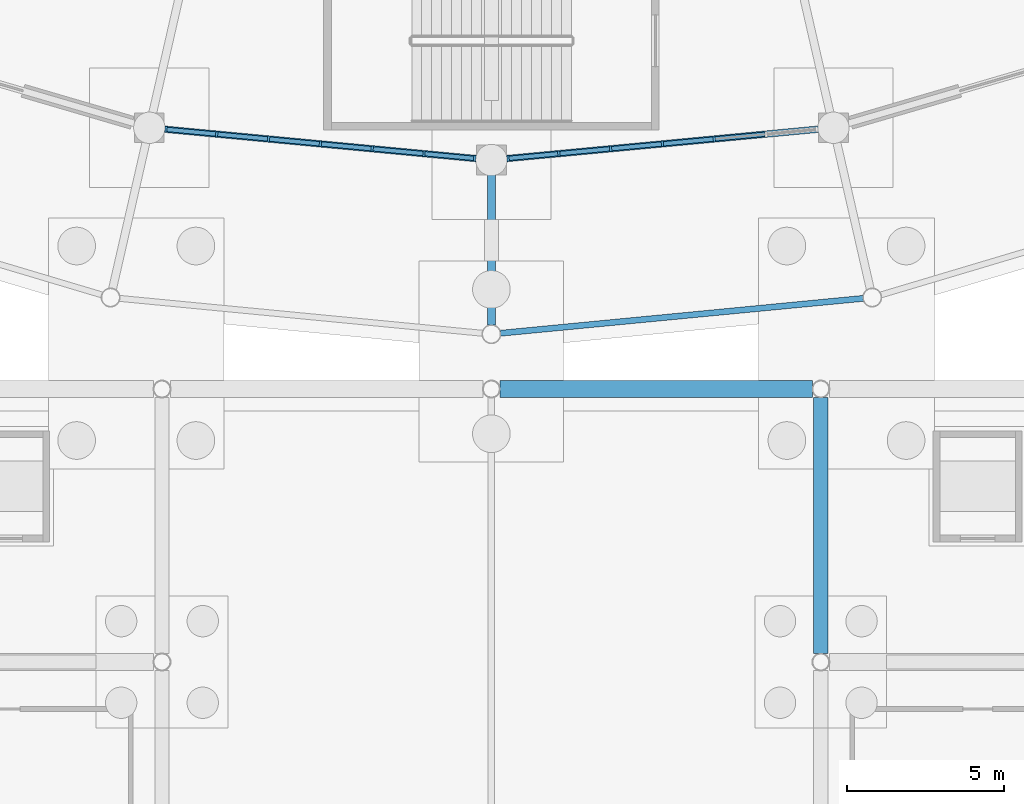
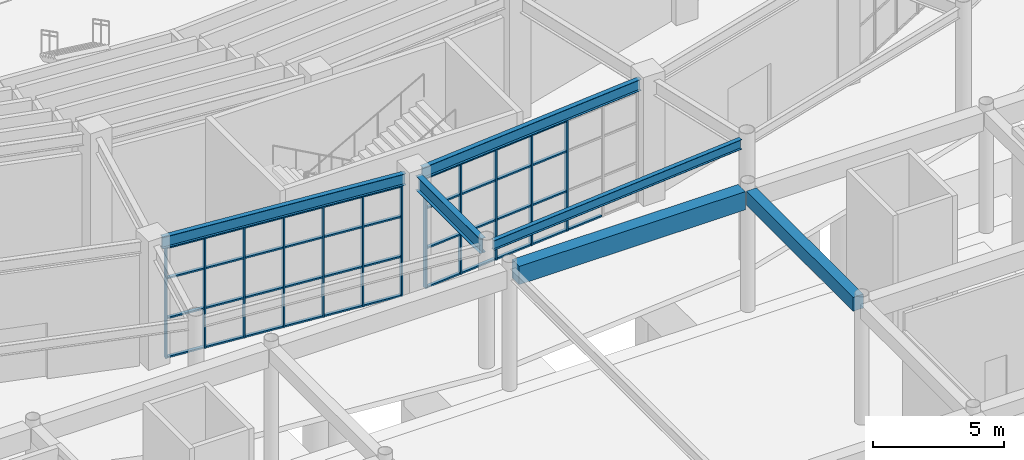
# One storey, part 32 of 121: 53 members, 6 beams, 2 elements without a shape of their own.
"""IFC4 building model written with IfcOpenShell, lengths in metres."""

import ifcopenshell
import ifcopenshell.guid

model = None  # the IFC model being written
_history = None  # IfcOwnerHistory: only IFC2X3 demands one
_inside = {}  # id of a spatial element -> (the spatial element, [elements in it])
_under = {}  # id of a project, library or spatial element -> (it, [spatial elements below it])
_declared = {}  # id of a project -> (the project, [libraries it declares])
_typed = {}  # id of a type object -> (the type object, [elements of that type])
_made_of = {}  # id of a material, layer set ... -> (it, [elements and type objects made of it])


def new_model(schema):
    """Start an empty IFC model of exactly this schema.

    Asked for "IFC4X3", IfcOpenShell would pick the latest addendum, in which some entities
    have other attributes; the version numbers below select the first issue.
    IFC2X3 requires an IfcOwnerHistory on every rooted entity: one is made here for all.
    """
    global model, _history
    if schema == "IFC4X3":
        model = ifcopenshell.file(schema_version=(4, 3, 0, 0))
    else:
        model = ifcopenshell.file(schema=schema)
    _inside.clear()
    _under.clear()
    _declared.clear()
    _typed.clear()
    _made_of.clear()
    _history = None
    if model.schema == "IFC2X3":
        org = make("IfcOrganization", Name="unknown")
        user = make(
            "IfcPersonAndOrganization",
            ThePerson=make("IfcPerson", FamilyName="unknown"),
            TheOrganization=org,
        )
        app = make(
            "IfcApplication",
            ApplicationDeveloper=org,
            Version="unknown",
            ApplicationFullName="unknown",
            ApplicationIdentifier="unknown",
        )
        _history = make(
            "IfcOwnerHistory",
            OwningUser=user,
            OwningApplication=app,
            ChangeAction="ADDED",
            CreationDate=0,
        )
    return model


def make(cls, **values):
    """One entity of the class cls with the attributes given. An attribute that is None is left unset."""
    return model.create_entity(
        cls, **{name: value for name, value in values.items() if value is not None}
    )


def rooted(cls, **values):
    """An entity with a GlobalId (a new one), such as an element, a storey or a relation."""
    return make(cls, GlobalId=ifcopenshell.guid.new(), OwnerHistory=_history, **values)


def si_unit(unit_type, name, prefix=None):
    """IfcSIUnit, for example si_unit("LENGTHUNIT", "METRE", prefix="MILLI")."""
    return make("IfcSIUnit", UnitType=unit_type, Prefix=prefix, Name=name)


def assignment(units):
    """IfcUnitAssignment: the units of a project."""
    return None if units is None else make("IfcUnitAssignment", Units=units)


def point(xyz):
    """IfcCartesianPoint."""
    return None if xyz is None else make("IfcCartesianPoint", Coordinates=xyz)


def direction(xyz):
    """IfcDirection."""
    return None if xyz is None else make("IfcDirection", DirectionRatios=xyz)


def frame(location, z_axis=None, x_axis=None):
    """IfcAxis2Placement3D, a coordinate frame: its origin and axes. An axis left out is left unset."""
    return make(
        "IfcAxis2Placement3D",
        Location=point(location),
        Axis=direction(z_axis),
        RefDirection=direction(x_axis),
    )


def frame_2d(location, x_axis=None):
    """IfcAxis2Placement2D, a coordinate frame in the plane: its origin and x axis."""
    return make(
        "IfcAxis2Placement2D", Location=point(location), RefDirection=direction(x_axis)
    )


def origin():
    """The frame at (0, 0, 0) with its axes left unset."""
    return frame((0.0, 0.0, 0.0))


def origin_2d():
    """The frame at (0, 0) in the plane with its x axis left unset."""
    return frame_2d((0.0, 0.0))


def place(relative_to, where):
    """IfcLocalPlacement: puts the frame where relative to a parent placement (None: the world)."""
    return make(
        "IfcLocalPlacement", PlacementRelTo=relative_to, RelativePlacement=where
    )


def context(
    kind, dimensions, precision=None, world=None, true_north=None, identifier=None
):
    """IfcGeometricRepresentationContext, for example the 3D "Model" context."""
    return make(
        "IfcGeometricRepresentationContext",
        ContextIdentifier=identifier,
        ContextType=kind,
        CoordinateSpaceDimension=dimensions,
        Precision=precision,
        WorldCoordinateSystem=world,
        TrueNorth=true_north,
    )


def subcontext(parent, identifier, kind, view, scale=None):
    """IfcGeometricRepresentationSubContext, for example "Body" below "Model"."""
    return make(
        "IfcGeometricRepresentationSubContext",
        ContextIdentifier=identifier,
        ContextType=kind,
        ParentContext=parent,
        TargetScale=scale,
        TargetView=view,
    )


def project(units=None, contexts=None):
    """IfcProject with its units and contexts."""
    return rooted(
        "IfcProject",
        Name="project",
        RepresentationContexts=contexts,
        UnitsInContext=assignment(units),
    )


def spatial(cls, under=None, at=None, **own):
    """A site, building, storey or space (cls), placed at a placement, below another one or the project."""
    s = rooted(cls, ObjectPlacement=at, **own)
    if under is not None:
        _under.setdefault(under.id(), (under, []))[1].append(s)
    return s


def profile(cls, at=None, kind="AREA", **sizes):
    """A parametric profile (cls). Its sizes go by their IFC names, for example OverallWidth=200.0."""
    return make(cls, ProfileType=kind, Position=at, **sizes)


def rectangle(**sizes):
    """IfcRectangleProfileDef."""
    return profile("IfcRectangleProfileDef", **sizes)


def i_section(**sizes):
    """IfcIShapeProfileDef."""
    return profile("IfcIShapeProfileDef", **sizes)


def extrude(swept, where, along, depth):
    """IfcExtrudedAreaSolid: the profile swept, set in the frame where, extruded along a direction by depth."""
    return make(
        "IfcExtrudedAreaSolid",
        SweptArea=swept,
        Position=where,
        ExtrudedDirection=direction(along),
        Depth=depth,
    )


def shape(context_of_items, identifier, shape_type, items):
    """IfcShapeRepresentation: the items that make up one representation, for example the "Body"."""
    return make(
        "IfcShapeRepresentation",
        ContextOfItems=context_of_items,
        RepresentationIdentifier=identifier,
        RepresentationType=shape_type,
        Items=items,
    )


def material(Name=None, Category=None):
    """IfcMaterial."""
    return make("IfcMaterial", Name=Name, Category=Category)


def material_profile(
    of_material, cross_section, Name=None, Category=None, Priority=None
):
    """IfcMaterialProfile: a cross section and its material."""
    return make(
        "IfcMaterialProfile",
        Name=Name,
        Material=of_material,
        Profile=cross_section,
        Priority=Priority,
        Category=Category,
    )


def profile_set(profiles, Name=None, composite=None):
    """IfcMaterialProfileSet."""
    return make(
        "IfcMaterialProfileSet",
        Name=Name,
        MaterialProfiles=profiles,
        CompositeProfile=composite,
    )


def made_of(thing, what):
    """Note that an element or type object is made of a material, layer set ...; save() writes the relation."""
    if what is not None:
        _made_of.setdefault(what.id(), (what, []))[1].append(thing)
    return thing


def type_object(cls, material=None, **own):
    """A type object (cls), such as IfcWallType, which elements share."""
    return made_of(rooted(cls, **own), material)


def element(
    cls,
    number,
    at=None,
    inside=None,
    cuts=None,
    type_object=None,
    material=None,
    context=None,
    identifier="Body",
    shape_type=None,
    held_by="IfcProductDefinitionShape",
    body=None,
    shapes=None,
    **own,
):
    """One element of the class cls, such as IfcWall. Its Tag is "e" and its number.

    at: its placement. inside: the storey or other place that contains it. cuts: it is an
    opening in that element (IfcRelVoidsElement). A single representation is given by context,
    identifier, shape_type and body (its items); several are given by shapes. held_by: the class
    of the entity that holds the representations. save() writes the other relations.
    """
    e = rooted(cls, Tag="e%d" % number, ObjectPlacement=at, **own)
    if body is not None:
        shapes = [shape(context, identifier, shape_type, body)]
    if shapes is not None:
        e.Representation = make(held_by, Representations=shapes)
    if inside is not None:
        _inside.setdefault(inside.id(), (inside, []))[1].append(e)
    if cuts is not None:
        rooted(
            "IfcRelVoidsElement", RelatingBuildingElement=cuts, RelatedOpeningElement=e
        )
    if type_object is not None:
        _typed.setdefault(type_object.id(), (type_object, []))[1].append(e)
    return made_of(e, material)


def aggregate(whole, parts):
    """IfcRelAggregates: a whole, such as a stair, and the parts it consists of."""
    return rooted("IfcRelAggregates", RelatingObject=whole, RelatedObjects=parts)


def save(model, path):
    """Write the relations noted so far, then the file.

    IfcRelAggregates (storeys below a building ...), IfcRelContainedInSpatialStructure (elements
    in a storey), IfcRelDefinesByType, IfcRelAssociatesMaterial and IfcRelDeclares: one each for
    every whole, place, type object, material and project.
    """
    for whole, parts in _under.values():
        aggregate(whole, parts)
    for where, things in _inside.values():
        rooted(
            "IfcRelContainedInSpatialStructure",
            RelatedElements=things,
            RelatingStructure=where,
        )
    for kind, things in _typed.values():
        rooted("IfcRelDefinesByType", RelatedObjects=things, RelatingType=kind)
    for what, things in _made_of.values():
        rooted("IfcRelAssociatesMaterial", RelatedObjects=things, RelatingMaterial=what)
    for by, libraries in _declared.values():
        rooted("IfcRelDeclares", RelatingContext=by, RelatedDefinitions=libraries)
    model.write(path)


model = new_model("IFC4")

# Units and contexts
model_context = context("Model", 3, precision=1e-05, world=origin(), true_north=direction((0.0, 1.0)))
body_context = subcontext(model_context, "Body", "Model", "MODEL_VIEW")
ifc_project = project(units=[si_unit("LENGTHUNIT", "METRE"), si_unit("AREAUNIT", "SQUARE_METRE"), si_unit("VOLUMEUNIT", "CUBIC_METRE"), si_unit("PLANEANGLEUNIT", "RADIAN"), si_unit("MASSUNIT", "GRAM", prefix="KILO")], contexts=[model_context])

# Site, building, storey
site_placement = place(None, origin())
site = spatial("IfcSite", under=ifc_project, at=site_placement, CompositionType="ELEMENT")
building_placement = place(site_placement, origin())
building = spatial("IfcBuilding", under=site, at=building_placement, Name="Cuetzalor Civic Arena", CompositionType="ELEMENT")
storey_placement = place(building_placement, origin())
storey = spatial("IfcBuildingStorey", under=building, at=storey_placement, Name="L00", CompositionType="ELEMENT", Elevation=0.0)

# Beams
ifc_material_1 = material(Name="Concrete C40/50", Category="concrete")
ifc_material_profile_1 = material_profile(ifc_material_1, rectangle(XDim=0.550048828125, YDim=0.85009765625, at=origin_2d()), Name="RC 550x850")
ifc_profile_set_1 = profile_set([ifc_material_profile_1], Name="Concrete C40/50")
beam_type_1 = type_object("IfcBeamType", Name="ConcreteFrameBeam_550x850", PredefinedType="BEAM", material=ifc_profile_set_1)
beam_1_placement = place(storey_placement, frame((0.26953125, -48.300048828125, 5.27490234375), z_axis=(1.0, 0.0, 0.0), x_axis=(0.0, 1.0, 0.0)))
element("IfcBeam", 1, at=beam_1_placement, inside=storey, type_object=beam_type_1, Name="Frame Girder V3-L00-X0027", PredefinedType="BEAM", context=body_context, shape_type="SweptSolid", body=[
    extrude(rectangle(XDim=0.550048828125, YDim=0.85009765625, at=origin_2d()), origin(), (0.0, 0.0, 1.0), 9.9609375),
])
ifc_material_2 = material(Name="Concrete C40/50", Category="concrete")
ifc_material_profile_2 = material_profile(ifc_material_2, rectangle(XDim=0.449951171875, YDim=0.64990234375, at=origin_2d()), Name="RC 450x650")
ifc_profile_set_2 = profile_set([ifc_material_profile_2], Name="Concrete C40/50")
beam_type_2 = type_object("IfcBeamType", Name="ConcreteTieBeam_450x650", PredefinedType="BEAM", material=ifc_profile_set_2)
beam_2_placement = place(storey_placement, frame((10.5, -56.73046875, 5.375), z_axis=(0.0, 1.0, 0.0), x_axis=(-1.0, 0.0, 0.0)))
element("IfcBeam", 2, at=beam_2_placement, inside=storey, type_object=beam_type_2, Name="Frame Girder V3-L00-Y0047", PredefinedType="BEAM", context=body_context, shape_type="SweptSolid", body=[
    extrude(rectangle(XDim=0.449951171875, YDim=0.64990234375, at=origin_2d()), origin(), (0.0, 0.0, 1.0), 8.160888671875),
])

# Curtain wall, members
ifc_material_3 = material(Name="Anodised dark bronze aluminium and low-E solar glass", Category="aluminium")
curtain_wall_type = type_object("IfcCurtainWallType", Name="UnitisedCW_9950x5150", PredefinedType="USERDEFINED", material=ifc_material_3)
curtain_wall_1_placement = place(storey_placement, origin())
curtain_wall_1 = element("IfcCurtainWall", 3, at=curtain_wall_1_placement, inside=storey, type_object=curtain_wall_type, Name="Drum Ground Recessed Concourse Curtain Wall L00-015", ObjectType="UNITISED CURTAIN WALL", PredefinedType="USERDEFINED")
ifc_material_4 = material(Name="Anodised dark bronze aluminium", Category="aluminium")
ifc_material_profile_3 = material_profile(ifc_material_4, rectangle(XDim=0.070068359375, YDim=0.179931640625, at=origin_2d()), Name="ALU MULLION 70x180")
ifc_profile_set_3 = profile_set([ifc_material_profile_3], Name="Anodised dark bronze aluminium")
member_type_1 = type_object("IfcMemberType", Name="CurtainWallMullion_65x180", PredefinedType="MULLION", material=ifc_profile_set_3)
member_1_placement = place(storey_placement, frame((-0.5322265625, -40.94970703125, 0.0), z_axis=(0.0, 0.0, 1.0), x_axis=(-0.995585155665, 0.093862654023, 0.0)))
member_1 = element("IfcMember", 4, at=member_1_placement, type_object=member_type_1, Name="CW-05 mullion 1", PredefinedType="MULLION", context=body_context, shape_type="SweptSolid", body=[
    extrude(rectangle(XDim=0.070068359375, YDim=0.179931640625, at=origin_2d()), origin(), (0.0, 0.0, 1.0), 5.156982421875),
])
member_2_placement = place(storey_placement, frame((-2.148681640625, -40.79736328125, 0.0), z_axis=(0.0, 0.0, 1.0), x_axis=(-0.995585155665, 0.093862654023, 0.0)))
member_2 = element("IfcMember", 5, at=member_2_placement, type_object=member_type_1, Name="CW-05 mullion 2", PredefinedType="MULLION", context=body_context, shape_type="SweptSolid", body=[
    extrude(rectangle(XDim=0.070068359375, YDim=0.179931640625, at=origin_2d()), origin(), (0.0, 0.0, 1.0), 5.156982421875),
])
member_3_placement = place(storey_placement, frame((-3.80029296875, -40.6416015625, 0.0), z_axis=(0.0, 0.0, 1.0), x_axis=(-0.995585155665, 0.093862654023, 0.0)))
member_3 = element("IfcMember", 6, at=member_3_placement, type_object=member_type_1, Name="CW-05 mullion 3", PredefinedType="MULLION", context=body_context, shape_type="SweptSolid", body=[
    extrude(rectangle(XDim=0.070068359375, YDim=0.179931640625, at=origin_2d()), origin(), (0.0, 0.0, 1.0), 5.156982421875),
])
member_4_placement = place(storey_placement, frame((-5.45166015625, -40.486083984375, 0.0), z_axis=(0.0, 0.0, 1.0), x_axis=(-0.995585155665, 0.093862654023, 0.0)))
member_4 = element("IfcMember", 7, at=member_4_placement, type_object=member_type_1, Name="CW-05 mullion 4", PredefinedType="MULLION", context=body_context, shape_type="SweptSolid", body=[
    extrude(rectangle(XDim=0.070068359375, YDim=0.179931640625, at=origin_2d()), origin(), (0.0, 0.0, 1.0), 5.156982421875),
])
member_5_placement = place(storey_placement, frame((-7.103271484375, -40.330322265625, 0.0), z_axis=(0.0, 0.0, 1.0), x_axis=(-0.995585155665, 0.093862654023, 0.0)))
member_5 = element("IfcMember", 8, at=member_5_placement, type_object=member_type_1, Name="CW-05 mullion 5", PredefinedType="MULLION", context=body_context, shape_type="SweptSolid", body=[
    extrude(rectangle(XDim=0.070068359375, YDim=0.179931640625, at=origin_2d()), origin(), (0.0, 0.0, 1.0), 5.156982421875),
])
member_6_placement = place(storey_placement, frame((-8.754638671875, -40.174560546875, 0.0), z_axis=(0.0, 0.0, 1.0), x_axis=(-0.995585155665, 0.093862654023, 0.0)))
member_6 = element("IfcMember", 9, at=member_6_placement, type_object=member_type_1, Name="CW-05 mullion 6", PredefinedType="MULLION", context=body_context, shape_type="SweptSolid", body=[
    extrude(rectangle(XDim=0.070068359375, YDim=0.179931640625, at=origin_2d()), origin(), (0.0, 0.0, 1.0), 5.156982421875),
])
member_7_placement = place(storey_placement, frame((-10.371337890625, -40.022216796875, 0.0), z_axis=(0.0, 0.0, 1.0), x_axis=(-0.995585155665, 0.093862654023, 0.0)))
member_7 = element("IfcMember", 10, at=member_7_placement, type_object=member_type_1, Name="CW-05 mullion 7", PredefinedType="MULLION", context=body_context, shape_type="SweptSolid", body=[
    extrude(rectangle(XDim=0.070068359375, YDim=0.179931640625, at=origin_2d()), origin(), (0.0, 0.0, 1.0), 5.156982421875),
])

curtain_wall_2_placement = place(storey_placement, origin())
curtain_wall_2 = element("IfcCurtainWall", 11, at=curtain_wall_2_placement, inside=storey, type_object=curtain_wall_type, Name="Drum Ground Recessed Concourse Curtain Wall L00-016", ObjectType="UNITISED CURTAIN WALL", PredefinedType="USERDEFINED")
member_8_placement = place(storey_placement, frame((7.103271484375, -40.330322265625, 0.0), z_axis=(0.0, 0.0, 1.0), x_axis=(-0.995585155665, -0.093862654023, 0.0)))
member_8 = element("IfcMember", 12, at=member_8_placement, type_object=member_type_1, Name="CW-05 mullion 3", PredefinedType="MULLION", context=body_context, shape_type="SweptSolid", body=[
    extrude(rectangle(XDim=0.070068359375, YDim=0.179931640625, at=origin_2d()), origin(), (0.0, 0.0, 1.0), 5.156982421875),
])
member_9_placement = place(storey_placement, frame((5.45166015625, -40.486083984375, 0.0), z_axis=(0.0, 0.0, 1.0), x_axis=(-0.995585155665, -0.093862654023, 0.0)))
member_9 = element("IfcMember", 13, at=member_9_placement, type_object=member_type_1, Name="CW-05 mullion 4", PredefinedType="MULLION", context=body_context, shape_type="SweptSolid", body=[
    extrude(rectangle(XDim=0.070068359375, YDim=0.179931640625, at=origin_2d()), origin(), (0.0, 0.0, 1.0), 5.156982421875),
])
member_10_placement = place(storey_placement, frame((3.80029296875, -40.6416015625, 0.0), z_axis=(0.0, 0.0, 1.0), x_axis=(-0.995585155665, -0.093862654023, 0.0)))
member_10 = element("IfcMember", 14, at=member_10_placement, type_object=member_type_1, Name="CW-05 mullion 5", PredefinedType="MULLION", context=body_context, shape_type="SweptSolid", body=[
    extrude(rectangle(XDim=0.070068359375, YDim=0.179931640625, at=origin_2d()), origin(), (0.0, 0.0, 1.0), 5.156982421875),
])
member_11_placement = place(storey_placement, frame((2.148681640625, -40.79736328125, 0.0), z_axis=(0.0, 0.0, 1.0), x_axis=(-0.995585155665, -0.093862654023, 0.0)))
member_11 = element("IfcMember", 15, at=member_11_placement, type_object=member_type_1, Name="CW-05 mullion 6", PredefinedType="MULLION", context=body_context, shape_type="SweptSolid", body=[
    extrude(rectangle(XDim=0.070068359375, YDim=0.179931640625, at=origin_2d()), origin(), (0.0, 0.0, 1.0), 5.156982421875),
])
member_12_placement = place(storey_placement, frame((0.5322265625, -40.94970703125, 0.0), z_axis=(0.0, 0.0, 1.0), x_axis=(-0.995585155665, -0.093862654023, 0.0)))
member_12 = element("IfcMember", 16, at=member_12_placement, type_object=member_type_1, Name="CW-05 mullion 7", PredefinedType="MULLION", context=body_context, shape_type="SweptSolid", body=[
    extrude(rectangle(XDim=0.070068359375, YDim=0.179931640625, at=origin_2d()), origin(), (0.0, 0.0, 1.0), 5.156982421875),
])

# Member
ifc_material_5 = material(Name="Anodised dark bronze aluminium", Category="aluminium")
ifc_material_profile_4 = material_profile(ifc_material_5, rectangle(XDim=0.139892578125, YDim=0.070068359375, at=origin_2d()), Name="ALU TRANSOM 70x140")
ifc_profile_set_4 = profile_set([ifc_material_profile_4], Name="Anodised dark bronze aluminium")
member_type_2 = type_object("IfcMemberType", Name="CurtainWallTransom_65x140", PredefinedType="USERDEFINED", material=ifc_profile_set_4)
member_13_placement = place(storey_placement, frame((-0.56689453125, -40.946533203125, 0.034912109375), z_axis=(-0.995591690404, 0.093793315318, 0.0), x_axis=(-0.093793315318, -0.995591690404, 0.0)))
member_13 = element("IfcMember", 17, at=member_13_placement, type_object=member_type_2, Name="CW-05 transom 1.1", ObjectType="TRANSOM", PredefinedType="USERDEFINED", context=body_context, shape_type="SweptSolid", body=[
    extrude(rectangle(XDim=0.139892578125, YDim=0.070068359375, at=origin_2d()), origin(), (0.0, 0.0, 1.0), 1.553955078125),
])

member_14_placement = place(storey_placement, frame((-0.56689453125, -40.946533203125, 1.85693359375), z_axis=(-0.995591690404, 0.093793315318, 0.0), x_axis=(-0.093793315318, -0.995591690404, 0.0)))
member_14 = element("IfcMember", 18, at=member_14_placement, type_object=member_type_2, Name="CW-05 transom 1.2", ObjectType="TRANSOM", PredefinedType="USERDEFINED", context=body_context, shape_type="SweptSolid", body=[
    extrude(rectangle(XDim=0.139892578125, YDim=0.070068359375, at=origin_2d()), origin(), (0.0, 0.0, 1.0), 1.553955078125),
])

member_15_placement = place(storey_placement, frame((-0.56689453125, -40.946533203125, 3.712890625), z_axis=(-0.995591690404, 0.093793315318, 0.0), x_axis=(-0.093793315318, -0.995591690404, 0.0)))
member_15 = element("IfcMember", 19, at=member_15_placement, type_object=member_type_2, Name="CW-05 transom 1.3", ObjectType="TRANSOM", PredefinedType="USERDEFINED", context=body_context, shape_type="SweptSolid", body=[
    extrude(rectangle(XDim=0.139892578125, YDim=0.070068359375, at=origin_2d()), origin(), (0.0, 0.0, 1.0), 1.553955078125),
])

member_16_placement = place(storey_placement, frame((-0.56689453125, -40.946533203125, 5.1220703125), z_axis=(-0.995591690404, 0.093793315318, 0.0), x_axis=(-0.093793315318, -0.995591690404, 0.0)))
member_16 = element("IfcMember", 20, at=member_16_placement, type_object=member_type_2, Name="CW-05 transom 1.4", ObjectType="TRANSOM", PredefinedType="USERDEFINED", context=body_context, shape_type="SweptSolid", body=[
    extrude(rectangle(XDim=0.139892578125, YDim=0.070068359375, at=origin_2d()), origin(), (0.0, 0.0, 1.0), 1.553955078125),
])

member_17_placement = place(storey_placement, frame((-2.18359375, -40.794189453125, 0.034912109375), z_axis=(-0.995582755392, 0.093888109823, 0.0), x_axis=(-0.093888109823, -0.995582755392, 0.0)))
member_17 = element("IfcMember", 21, at=member_17_placement, type_object=member_type_2, Name="CW-05 transom 2.1", ObjectType="TRANSOM", PredefinedType="USERDEFINED", context=body_context, shape_type="SweptSolid", body=[
    extrude(rectangle(XDim=0.139892578125, YDim=0.070068359375, at=origin_2d()), origin(), (0.0, 0.0, 1.0), 1.5888671875),
])

member_18_placement = place(storey_placement, frame((-2.18359375, -40.794189453125, 1.85693359375), z_axis=(-0.995582755392, 0.093888109823, 0.0), x_axis=(-0.093888109823, -0.995582755392, 0.0)))
member_18 = element("IfcMember", 22, at=member_18_placement, type_object=member_type_2, Name="CW-05 transom 2.2", ObjectType="TRANSOM", PredefinedType="USERDEFINED", context=body_context, shape_type="SweptSolid", body=[
    extrude(rectangle(XDim=0.139892578125, YDim=0.070068359375, at=origin_2d()), origin(), (0.0, 0.0, 1.0), 1.5888671875),
])

member_19_placement = place(storey_placement, frame((-2.18359375, -40.794189453125, 3.712890625), z_axis=(-0.995582755392, 0.093888109823, 0.0), x_axis=(-0.093888109823, -0.995582755392, 0.0)))
member_19 = element("IfcMember", 23, at=member_19_placement, type_object=member_type_2, Name="CW-05 transom 2.3", ObjectType="TRANSOM", PredefinedType="USERDEFINED", context=body_context, shape_type="SweptSolid", body=[
    extrude(rectangle(XDim=0.139892578125, YDim=0.070068359375, at=origin_2d()), origin(), (0.0, 0.0, 1.0), 1.5888671875),
])

member_20_placement = place(storey_placement, frame((-2.18359375, -40.794189453125, 5.1220703125), z_axis=(-0.995582755392, 0.093888109823, 0.0), x_axis=(-0.093888109823, -0.995582755392, 0.0)))
member_20 = element("IfcMember", 24, at=member_20_placement, type_object=member_type_2, Name="CW-05 transom 2.4", ObjectType="TRANSOM", PredefinedType="USERDEFINED", context=body_context, shape_type="SweptSolid", body=[
    extrude(rectangle(XDim=0.139892578125, YDim=0.070068359375, at=origin_2d()), origin(), (0.0, 0.0, 1.0), 1.5888671875),
])

member_21_placement = place(storey_placement, frame((-3.835205078125, -40.638427734375, 0.034912109375), z_axis=(-0.995582755392, 0.093888109823, 0.0), x_axis=(-0.093888109823, -0.995582755392, 0.0)))
member_21 = element("IfcMember", 25, at=member_21_placement, type_object=member_type_2, Name="CW-05 transom 3.1", ObjectType="TRANSOM", PredefinedType="USERDEFINED", context=body_context, shape_type="SweptSolid", body=[
    extrude(rectangle(XDim=0.139892578125, YDim=0.070068359375, at=origin_2d()), origin(), (0.0, 0.0, 1.0), 1.5888671875),
])

member_22_placement = place(storey_placement, frame((-3.835205078125, -40.638427734375, 1.85693359375), z_axis=(-0.995582755392, 0.093888109823, 0.0), x_axis=(-0.093888109823, -0.995582755392, 0.0)))
member_22 = element("IfcMember", 26, at=member_22_placement, type_object=member_type_2, Name="CW-05 transom 3.2", ObjectType="TRANSOM", PredefinedType="USERDEFINED", context=body_context, shape_type="SweptSolid", body=[
    extrude(rectangle(XDim=0.139892578125, YDim=0.070068359375, at=origin_2d()), origin(), (0.0, 0.0, 1.0), 1.5888671875),
])

member_23_placement = place(storey_placement, frame((-3.835205078125, -40.638427734375, 3.712890625), z_axis=(-0.995582755392, 0.093888109823, 0.0), x_axis=(-0.093888109823, -0.995582755392, 0.0)))
member_23 = element("IfcMember", 27, at=member_23_placement, type_object=member_type_2, Name="CW-05 transom 3.3", ObjectType="TRANSOM", PredefinedType="USERDEFINED", context=body_context, shape_type="SweptSolid", body=[
    extrude(rectangle(XDim=0.139892578125, YDim=0.070068359375, at=origin_2d()), origin(), (0.0, 0.0, 1.0), 1.5888671875),
])

member_24_placement = place(storey_placement, frame((-3.835205078125, -40.638427734375, 5.1220703125), z_axis=(-0.995582755392, 0.093888109823, 0.0), x_axis=(-0.093888109823, -0.995582755392, 0.0)))
member_24 = element("IfcMember", 28, at=member_24_placement, type_object=member_type_2, Name="CW-05 transom 3.4", ObjectType="TRANSOM", PredefinedType="USERDEFINED", context=body_context, shape_type="SweptSolid", body=[
    extrude(rectangle(XDim=0.139892578125, YDim=0.070068359375, at=origin_2d()), origin(), (0.0, 0.0, 1.0), 1.5888671875),
])

member_25_placement = place(storey_placement, frame((-5.486572265625, -40.482666015625, 0.034912109375), z_axis=(-0.995582755392, 0.093888109823, 0.0), x_axis=(-0.093888109823, -0.995582755392, 0.0)))
member_25 = element("IfcMember", 29, at=member_25_placement, type_object=member_type_2, Name="CW-05 transom 4.1", ObjectType="TRANSOM", PredefinedType="USERDEFINED", context=body_context, shape_type="SweptSolid", body=[
    extrude(rectangle(XDim=0.139892578125, YDim=0.070068359375, at=origin_2d()), origin(), (0.0, 0.0, 1.0), 1.5888671875),
])

member_26_placement = place(storey_placement, frame((-5.486572265625, -40.482666015625, 1.85693359375), z_axis=(-0.995582755392, 0.093888109823, 0.0), x_axis=(-0.093888109823, -0.995582755392, 0.0)))
member_26 = element("IfcMember", 30, at=member_26_placement, type_object=member_type_2, Name="CW-05 transom 4.2", ObjectType="TRANSOM", PredefinedType="USERDEFINED", context=body_context, shape_type="SweptSolid", body=[
    extrude(rectangle(XDim=0.139892578125, YDim=0.070068359375, at=origin_2d()), origin(), (0.0, 0.0, 1.0), 1.5888671875),
])

member_27_placement = place(storey_placement, frame((-5.486572265625, -40.482666015625, 3.712890625), z_axis=(-0.995582755392, 0.093888109823, 0.0), x_axis=(-0.093888109823, -0.995582755392, 0.0)))
member_27 = element("IfcMember", 31, at=member_27_placement, type_object=member_type_2, Name="CW-05 transom 4.3", ObjectType="TRANSOM", PredefinedType="USERDEFINED", context=body_context, shape_type="SweptSolid", body=[
    extrude(rectangle(XDim=0.139892578125, YDim=0.070068359375, at=origin_2d()), origin(), (0.0, 0.0, 1.0), 1.5888671875),
])

member_28_placement = place(storey_placement, frame((-5.486572265625, -40.482666015625, 5.1220703125), z_axis=(-0.995582755392, 0.093888109823, 0.0), x_axis=(-0.093888109823, -0.995582755392, 0.0)))
member_28 = element("IfcMember", 32, at=member_28_placement, type_object=member_type_2, Name="CW-05 transom 4.4", ObjectType="TRANSOM", PredefinedType="USERDEFINED", context=body_context, shape_type="SweptSolid", body=[
    extrude(rectangle(XDim=0.139892578125, YDim=0.070068359375, at=origin_2d()), origin(), (0.0, 0.0, 1.0), 1.5888671875),
])

member_29_placement = place(storey_placement, frame((-7.13818359375, -40.326904296875, 0.034912109375), z_axis=(-0.995597107351, 0.093735798037, 0.0), x_axis=(-0.093735798037, -0.995597107351, 0.0)))
member_29 = element("IfcMember", 33, at=member_29_placement, type_object=member_type_2, Name="CW-05 transom 5.1", ObjectType="TRANSOM", PredefinedType="USERDEFINED", context=body_context, shape_type="SweptSolid", body=[
    extrude(rectangle(XDim=0.139892578125, YDim=0.070068359375, at=origin_2d()), origin(), (0.0, 0.0, 1.0), 1.5888671875),
])

member_30_placement = place(storey_placement, frame((-7.13818359375, -40.326904296875, 1.85693359375), z_axis=(-0.995597107351, 0.093735798037, 0.0), x_axis=(-0.093735798037, -0.995597107351, 0.0)))
member_30 = element("IfcMember", 34, at=member_30_placement, type_object=member_type_2, Name="CW-05 transom 5.2", ObjectType="TRANSOM", PredefinedType="USERDEFINED", context=body_context, shape_type="SweptSolid", body=[
    extrude(rectangle(XDim=0.139892578125, YDim=0.070068359375, at=origin_2d()), origin(), (0.0, 0.0, 1.0), 1.5888671875),
])

member_31_placement = place(storey_placement, frame((-7.13818359375, -40.326904296875, 3.712890625), z_axis=(-0.995597107351, 0.093735798037, 0.0), x_axis=(-0.093735798037, -0.995597107351, 0.0)))
member_31 = element("IfcMember", 35, at=member_31_placement, type_object=member_type_2, Name="CW-05 transom 5.3", ObjectType="TRANSOM", PredefinedType="USERDEFINED", context=body_context, shape_type="SweptSolid", body=[
    extrude(rectangle(XDim=0.139892578125, YDim=0.070068359375, at=origin_2d()), origin(), (0.0, 0.0, 1.0), 1.5888671875),
])

member_32_placement = place(storey_placement, frame((-7.13818359375, -40.326904296875, 5.1220703125), z_axis=(-0.995597107351, 0.093735798037, 0.0), x_axis=(-0.093735798037, -0.995597107351, 0.0)))
member_32 = element("IfcMember", 36, at=member_32_placement, type_object=member_type_2, Name="CW-05 transom 5.4", ObjectType="TRANSOM", PredefinedType="USERDEFINED", context=body_context, shape_type="SweptSolid", body=[
    extrude(rectangle(XDim=0.139892578125, YDim=0.070068359375, at=origin_2d()), origin(), (0.0, 0.0, 1.0), 1.5888671875),
])

member_33_placement = place(storey_placement, frame((-8.78955078125, -40.17138671875, 0.034912109375), z_axis=(-0.995575620742, 0.093963734407, 0.0), x_axis=(-0.093963734407, -0.995575620742, 0.0)))
member_33 = element("IfcMember", 37, at=member_33_placement, type_object=member_type_2, Name="CW-05 transom 6.1", ObjectType="TRANSOM", PredefinedType="USERDEFINED", context=body_context, shape_type="SweptSolid", body=[
    extrude(rectangle(XDim=0.139892578125, YDim=0.070068359375, at=origin_2d()), origin(), (0.0, 0.0, 1.0), 1.5537109375),
])

member_34_placement = place(storey_placement, frame((-8.78955078125, -40.17138671875, 1.85693359375), z_axis=(-0.995575620742, 0.093963734407, 0.0), x_axis=(-0.093963734407, -0.995575620742, 0.0)))
member_34 = element("IfcMember", 38, at=member_34_placement, type_object=member_type_2, Name="CW-05 transom 6.2", ObjectType="TRANSOM", PredefinedType="USERDEFINED", context=body_context, shape_type="SweptSolid", body=[
    extrude(rectangle(XDim=0.139892578125, YDim=0.070068359375, at=origin_2d()), origin(), (0.0, 0.0, 1.0), 1.5537109375),
])

member_35_placement = place(storey_placement, frame((-8.78955078125, -40.17138671875, 3.712890625), z_axis=(-0.995575620742, 0.093963734407, 0.0), x_axis=(-0.093963734407, -0.995575620742, 0.0)))
member_35 = element("IfcMember", 39, at=member_35_placement, type_object=member_type_2, Name="CW-05 transom 6.3", ObjectType="TRANSOM", PredefinedType="USERDEFINED", context=body_context, shape_type="SweptSolid", body=[
    extrude(rectangle(XDim=0.139892578125, YDim=0.070068359375, at=origin_2d()), origin(), (0.0, 0.0, 1.0), 1.5537109375),
])

member_36_placement = place(storey_placement, frame((-8.78955078125, -40.17138671875, 5.1220703125), z_axis=(-0.995575620742, 0.093963734407, 0.0), x_axis=(-0.093963734407, -0.995575620742, 0.0)))
member_36 = element("IfcMember", 40, at=member_36_placement, type_object=member_type_2, Name="CW-05 transom 6.4", ObjectType="TRANSOM", PredefinedType="USERDEFINED", context=body_context, shape_type="SweptSolid", body=[
    extrude(rectangle(XDim=0.139892578125, YDim=0.070068359375, at=origin_2d()), origin(), (0.0, 0.0, 1.0), 1.5537109375),
])

aggregate(curtain_wall_1, [member_1, member_2, member_3, member_4, member_5, member_6, member_7, member_13, member_14, member_15, member_16, member_17, member_18, member_19, member_20, member_21, member_22, member_23, member_24, member_25, member_26, member_27, member_28, member_29, member_30, member_31, member_32, member_33, member_34, member_35, member_36])

member_37_placement = place(storey_placement, frame((8.719970703125, -40.177978515625, 0.034912109375), z_axis=(-0.995597107351, -0.093735798037, 0.0), x_axis=(0.093735798037, -0.995597107351, 0.0)))
member_37 = element("IfcMember", 41, at=member_37_placement, type_object=member_type_2, Name="CW-05 transom 2.1", ObjectType="TRANSOM", PredefinedType="USERDEFINED", context=body_context, shape_type="SweptSolid", body=[
    extrude(rectangle(XDim=0.139892578125, YDim=0.070068359375, at=origin_2d()), origin(), (0.0, 0.0, 1.0), 1.5888671875),
])

member_38_placement = place(storey_placement, frame((7.068359375, -40.33349609375, 0.034912109375), z_axis=(-0.995582755392, -0.093888109823, 0.0), x_axis=(0.093888109823, -0.995582755392, 0.0)))
member_38 = element("IfcMember", 42, at=member_38_placement, type_object=member_type_2, Name="CW-05 transom 3.1", ObjectType="TRANSOM", PredefinedType="USERDEFINED", context=body_context, shape_type="SweptSolid", body=[
    extrude(rectangle(XDim=0.139892578125, YDim=0.070068359375, at=origin_2d()), origin(), (0.0, 0.0, 1.0), 1.5888671875),
])

member_39_placement = place(storey_placement, frame((7.068359375, -40.33349609375, 1.85693359375), z_axis=(-0.995582755392, -0.093888109823, 0.0), x_axis=(0.093888109823, -0.995582755392, 0.0)))
member_39 = element("IfcMember", 43, at=member_39_placement, type_object=member_type_2, Name="CW-05 transom 3.2", ObjectType="TRANSOM", PredefinedType="USERDEFINED", context=body_context, shape_type="SweptSolid", body=[
    extrude(rectangle(XDim=0.139892578125, YDim=0.070068359375, at=origin_2d()), origin(), (0.0, 0.0, 1.0), 1.5888671875),
])

member_40_placement = place(storey_placement, frame((7.068359375, -40.33349609375, 3.712890625), z_axis=(-0.995582755392, -0.093888109823, 0.0), x_axis=(0.093888109823, -0.995582755392, 0.0)))
member_40 = element("IfcMember", 44, at=member_40_placement, type_object=member_type_2, Name="CW-05 transom 3.3", ObjectType="TRANSOM", PredefinedType="USERDEFINED", context=body_context, shape_type="SweptSolid", body=[
    extrude(rectangle(XDim=0.139892578125, YDim=0.070068359375, at=origin_2d()), origin(), (0.0, 0.0, 1.0), 1.5888671875),
])

member_41_placement = place(storey_placement, frame((7.068359375, -40.33349609375, 5.1220703125), z_axis=(-0.995582755392, -0.093888109823, 0.0), x_axis=(0.093888109823, -0.995582755392, 0.0)))
member_41 = element("IfcMember", 45, at=member_41_placement, type_object=member_type_2, Name="CW-05 transom 3.4", ObjectType="TRANSOM", PredefinedType="USERDEFINED", context=body_context, shape_type="SweptSolid", body=[
    extrude(rectangle(XDim=0.139892578125, YDim=0.070068359375, at=origin_2d()), origin(), (0.0, 0.0, 1.0), 1.5888671875),
])

member_42_placement = place(storey_placement, frame((5.4169921875, -40.4892578125, 0.034912109375), z_axis=(-0.995582755392, -0.093888109823, 0.0), x_axis=(0.093888109823, -0.995582755392, 0.0)))
member_42 = element("IfcMember", 46, at=member_42_placement, type_object=member_type_2, Name="CW-05 transom 4.1", ObjectType="TRANSOM", PredefinedType="USERDEFINED", context=body_context, shape_type="SweptSolid", body=[
    extrude(rectangle(XDim=0.139892578125, YDim=0.070068359375, at=origin_2d()), origin(), (0.0, 0.0, 1.0), 1.5888671875),
])

member_43_placement = place(storey_placement, frame((5.4169921875, -40.4892578125, 1.85693359375), z_axis=(-0.995582755392, -0.093888109823, 0.0), x_axis=(0.093888109823, -0.995582755392, 0.0)))
member_43 = element("IfcMember", 47, at=member_43_placement, type_object=member_type_2, Name="CW-05 transom 4.2", ObjectType="TRANSOM", PredefinedType="USERDEFINED", context=body_context, shape_type="SweptSolid", body=[
    extrude(rectangle(XDim=0.139892578125, YDim=0.070068359375, at=origin_2d()), origin(), (0.0, 0.0, 1.0), 1.5888671875),
])

member_44_placement = place(storey_placement, frame((5.4169921875, -40.4892578125, 3.712890625), z_axis=(-0.995582755392, -0.093888109823, 0.0), x_axis=(0.093888109823, -0.995582755392, 0.0)))
member_44 = element("IfcMember", 48, at=member_44_placement, type_object=member_type_2, Name="CW-05 transom 4.3", ObjectType="TRANSOM", PredefinedType="USERDEFINED", context=body_context, shape_type="SweptSolid", body=[
    extrude(rectangle(XDim=0.139892578125, YDim=0.070068359375, at=origin_2d()), origin(), (0.0, 0.0, 1.0), 1.5888671875),
])

member_45_placement = place(storey_placement, frame((5.4169921875, -40.4892578125, 5.1220703125), z_axis=(-0.995582755392, -0.093888109823, 0.0), x_axis=(0.093888109823, -0.995582755392, 0.0)))
member_45 = element("IfcMember", 49, at=member_45_placement, type_object=member_type_2, Name="CW-05 transom 4.4", ObjectType="TRANSOM", PredefinedType="USERDEFINED", context=body_context, shape_type="SweptSolid", body=[
    extrude(rectangle(XDim=0.139892578125, YDim=0.070068359375, at=origin_2d()), origin(), (0.0, 0.0, 1.0), 1.5888671875),
])

member_46_placement = place(storey_placement, frame((3.765380859375, -40.64501953125, 0.034912109375), z_axis=(-0.995582755392, -0.093888109823, 0.0), x_axis=(0.093888109823, -0.995582755392, 0.0)))
member_46 = element("IfcMember", 50, at=member_46_placement, type_object=member_type_2, Name="CW-05 transom 5.1", ObjectType="TRANSOM", PredefinedType="USERDEFINED", context=body_context, shape_type="SweptSolid", body=[
    extrude(rectangle(XDim=0.139892578125, YDim=0.070068359375, at=origin_2d()), origin(), (0.0, 0.0, 1.0), 1.5888671875),
])

member_47_placement = place(storey_placement, frame((3.765380859375, -40.64501953125, 1.85693359375), z_axis=(-0.995582755392, -0.093888109823, 0.0), x_axis=(0.093888109823, -0.995582755392, 0.0)))
member_47 = element("IfcMember", 51, at=member_47_placement, type_object=member_type_2, Name="CW-05 transom 5.2", ObjectType="TRANSOM", PredefinedType="USERDEFINED", context=body_context, shape_type="SweptSolid", body=[
    extrude(rectangle(XDim=0.139892578125, YDim=0.070068359375, at=origin_2d()), origin(), (0.0, 0.0, 1.0), 1.5888671875),
])

member_48_placement = place(storey_placement, frame((3.765380859375, -40.64501953125, 3.712890625), z_axis=(-0.995582755392, -0.093888109823, 0.0), x_axis=(0.093888109823, -0.995582755392, 0.0)))
member_48 = element("IfcMember", 52, at=member_48_placement, type_object=member_type_2, Name="CW-05 transom 5.3", ObjectType="TRANSOM", PredefinedType="USERDEFINED", context=body_context, shape_type="SweptSolid", body=[
    extrude(rectangle(XDim=0.139892578125, YDim=0.070068359375, at=origin_2d()), origin(), (0.0, 0.0, 1.0), 1.5888671875),
])

member_49_placement = place(storey_placement, frame((3.765380859375, -40.64501953125, 5.1220703125), z_axis=(-0.995582755392, -0.093888109823, 0.0), x_axis=(0.093888109823, -0.995582755392, 0.0)))
member_49 = element("IfcMember", 53, at=member_49_placement, type_object=member_type_2, Name="CW-05 transom 5.4", ObjectType="TRANSOM", PredefinedType="USERDEFINED", context=body_context, shape_type="SweptSolid", body=[
    extrude(rectangle(XDim=0.139892578125, YDim=0.070068359375, at=origin_2d()), origin(), (0.0, 0.0, 1.0), 1.5888671875),
])

member_50_placement = place(storey_placement, frame((2.114013671875, -40.80078125, 0.034912109375), z_axis=(-0.995591690404, -0.093793315318, 0.0), x_axis=(0.093793315318, -0.995591690404, 0.0)))
member_50 = element("IfcMember", 54, at=member_50_placement, type_object=member_type_2, Name="CW-05 transom 6.1", ObjectType="TRANSOM", PredefinedType="USERDEFINED", context=body_context, shape_type="SweptSolid", body=[
    extrude(rectangle(XDim=0.139892578125, YDim=0.070068359375, at=origin_2d()), origin(), (0.0, 0.0, 1.0), 1.553955078125),
])

member_51_placement = place(storey_placement, frame((2.114013671875, -40.80078125, 1.85693359375), z_axis=(-0.995591690404, -0.093793315318, 0.0), x_axis=(0.093793315318, -0.995591690404, 0.0)))
member_51 = element("IfcMember", 55, at=member_51_placement, type_object=member_type_2, Name="CW-05 transom 6.2", ObjectType="TRANSOM", PredefinedType="USERDEFINED", context=body_context, shape_type="SweptSolid", body=[
    extrude(rectangle(XDim=0.139892578125, YDim=0.070068359375, at=origin_2d()), origin(), (0.0, 0.0, 1.0), 1.553955078125),
])

member_52_placement = place(storey_placement, frame((2.114013671875, -40.80078125, 3.712890625), z_axis=(-0.995591690404, -0.093793315318, 0.0), x_axis=(0.093793315318, -0.995591690404, 0.0)))
member_52 = element("IfcMember", 56, at=member_52_placement, type_object=member_type_2, Name="CW-05 transom 6.3", ObjectType="TRANSOM", PredefinedType="USERDEFINED", context=body_context, shape_type="SweptSolid", body=[
    extrude(rectangle(XDim=0.139892578125, YDim=0.070068359375, at=origin_2d()), origin(), (0.0, 0.0, 1.0), 1.553955078125),
])

member_53_placement = place(storey_placement, frame((2.114013671875, -40.80078125, 5.1220703125), z_axis=(-0.995591690404, -0.093793315318, 0.0), x_axis=(0.093793315318, -0.995591690404, 0.0)))
member_53 = element("IfcMember", 57, at=member_53_placement, type_object=member_type_2, Name="CW-05 transom 6.4", ObjectType="TRANSOM", PredefinedType="USERDEFINED", context=body_context, shape_type="SweptSolid", body=[
    extrude(rectangle(XDim=0.139892578125, YDim=0.070068359375, at=origin_2d()), origin(), (0.0, 0.0, 1.0), 1.553955078125),
])

aggregate(curtain_wall_2, [member_8, member_9, member_10, member_11, member_12, member_37, member_38, member_39, member_40, member_41, member_42, member_43, member_44, member_45, member_46, member_47, member_48, member_49, member_50, member_51, member_52, member_53])

# Beams
ifc_material_6 = material(Name="Steel S355", Category="steel")
ifc_material_profile_5 = material_profile(ifc_material_6, i_section(OverallWidth=0.18994140625, OverallDepth=0.45703125, WebThickness=0.009033203125, FlangeThickness=0.014404296875, at=origin_2d()), Name="W460x74")
ifc_profile_set_5 = profile_set([ifc_material_profile_5], Name="Steel S355")
beam_type_3 = type_object("IfcBeamType", Name="FacadeSpandrelBeam_W460", PredefinedType="SPANDREL", material=ifc_profile_set_5)
beam_3_placement = place(storey_placement, frame((0.288818359375, -46.522216796875, 5.471435546875), z_axis=(0.995409568272, 0.095706799095, 0.0), x_axis=(-0.095706799095, 0.995409568272, 0.0)))
element("IfcBeam", 58, at=beam_3_placement, inside=storey, type_object=beam_type_3, Name="Drum Perimeter Spandrel L00-S22", PredefinedType="SPANDREL", context=body_context, shape_type="SweptSolid", body=[
    extrude(i_section(OverallWidth=0.18994140625, OverallDepth=0.45703125, WebThickness=0.009033203125, FlangeThickness=0.014404296875, at=origin_2d()), origin(), (0.0, 0.0, 1.0), 11.6142578125),
])
ifc_material_7 = material(Name="Steel S355", Category="steel")
ifc_material_profile_6 = material_profile(ifc_material_7, i_section(OverallWidth=0.208984375, OverallDepth=0.532958984375, WebThickness=0.01025390625, FlangeThickness=0.015625, at=origin_2d()), Name="W530x92")
ifc_profile_set_6 = profile_set([ifc_material_profile_6], Name="Steel S355")
beam_type_4 = type_object("IfcBeamType", Name="SteelCollarGirder_W530", PredefinedType="BEAM", material=ifc_profile_set_6)
for number, where, z_axis, x_axis, name in (
    (59, (-10.53515625, -40.006591796875, 5.43359375), (0.995583045118, -0.093885037538, 0.0), (0.093885037538, 0.995583045118, 0.0), "Drum Concourse Ring Girder L00-S21"),
    (60, (0.368408203125, -40.96533203125, 5.43359375), (0.995583045118, 0.093885037538, 0.0), (-0.093885037538, 0.995583045118, 0.0), "Drum Concourse Ring Girder L00-S22"),
):
    element("IfcBeam", number, at=place(storey_placement, frame(where, z_axis=z_axis, x_axis=x_axis)), inside=storey, type_object=beam_type_4, Name=name, PredefinedType="BEAM", context=body_context, shape_type="SweptSolid", body=[
        extrude(i_section(OverallWidth=0.208984375, OverallDepth=0.532958984375, WebThickness=0.01025390625, FlangeThickness=0.015625, at=origin_2d()), origin(), (0.0, 0.0, 1.0), 10.2119140625),
    ])
ifc_material_8 = material(Name="Steel S355", Category="steel")
ifc_material_profile_7 = material_profile(ifc_material_8, i_section(OverallWidth=0.2529296875, OverallDepth=0.677978515625, WebThickness=0.01171875, FlangeThickness=0.016357421875, at=origin_2d()), Name="W690x125")
ifc_profile_set_7 = profile_set([ifc_material_profile_7], Name="Steel S355")
beam_type_5 = type_object("IfcBeamType", Name="SteelPrimaryGirder_W690", PredefinedType="BEAM", material=ifc_profile_set_7)
beam_4_placement = place(storey_placement, frame((0.0, -41.360107421875, 5.361083984375), z_axis=(0.0, -1.0, 0.0), x_axis=(1.0, 0.0, 0.0)))
element("IfcBeam", 61, at=beam_4_placement, inside=storey, type_object=beam_type_5, Name="Drum Radial Girder L00-R22", PredefinedType="BEAM", context=body_context, shape_type="SweptSolid", body=[
    extrude(i_section(OverallWidth=0.2529296875, OverallDepth=0.677978515625, WebThickness=0.01171875, FlangeThickness=0.016357421875, at=origin_2d()), origin(), (0.0, 0.0, 1.0), 4.89990234375),
])

save(model, "model.ifc")
